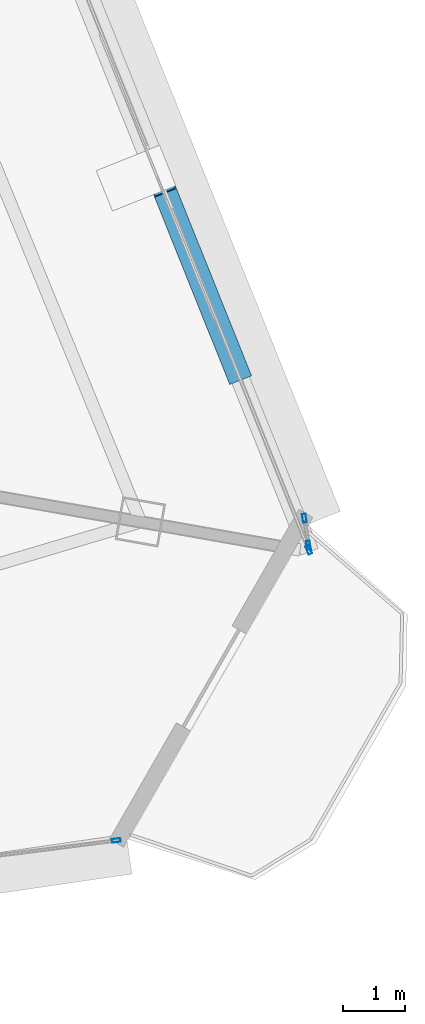
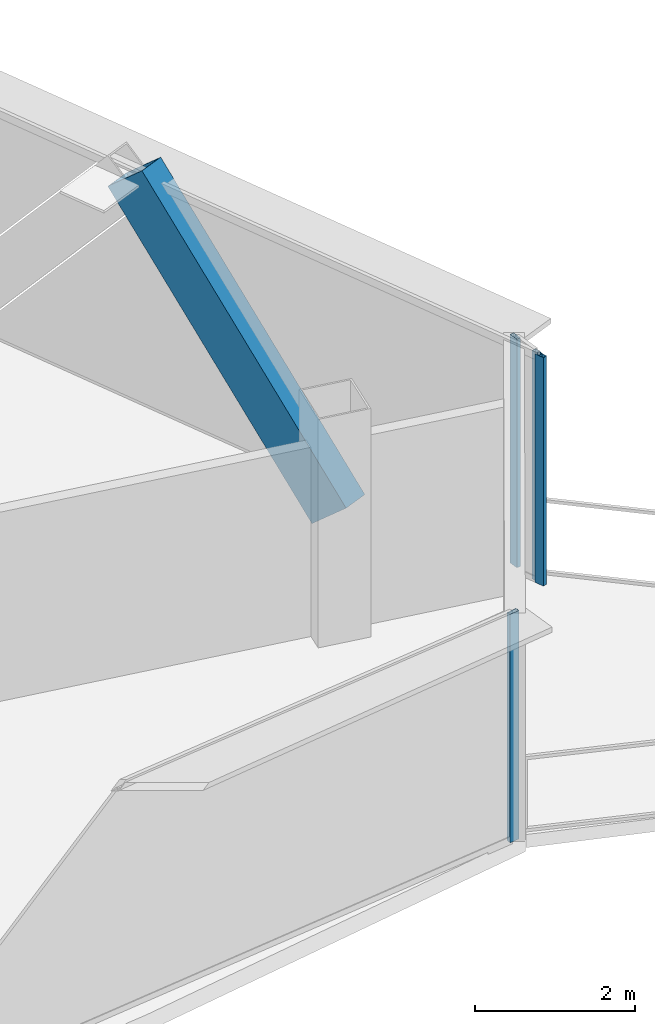
# One storey, part 13 of 30: 5 members, 3 elements without a shape of their own.
"""IFC4 building model written with IfcOpenShell, lengths in metres."""

import ifcopenshell
import ifcopenshell.guid

model = None  # the IFC model being written
_history = None  # IfcOwnerHistory: only IFC2X3 demands one
_inside = {}  # id of a spatial element -> (the spatial element, [elements in it])
_under = {}  # id of a project, library or spatial element -> (it, [spatial elements below it])
_declared = {}  # id of a project -> (the project, [libraries it declares])
_typed = {}  # id of a type object -> (the type object, [elements of that type])
_made_of = {}  # id of a material, layer set ... -> (it, [elements and type objects made of it])


def new_model(schema):
    """Start an empty IFC model of exactly this schema.

    Asked for "IFC4X3", IfcOpenShell would pick the latest addendum, in which some entities
    have other attributes; the version numbers below select the first issue.
    IFC2X3 requires an IfcOwnerHistory on every rooted entity: one is made here for all.
    """
    global model, _history
    if schema == "IFC4X3":
        model = ifcopenshell.file(schema_version=(4, 3, 0, 0))
    else:
        model = ifcopenshell.file(schema=schema)
    _inside.clear()
    _under.clear()
    _declared.clear()
    _typed.clear()
    _made_of.clear()
    _history = None
    if model.schema == "IFC2X3":
        org = make("IfcOrganization", Name="unknown")
        user = make(
            "IfcPersonAndOrganization",
            ThePerson=make("IfcPerson", FamilyName="unknown"),
            TheOrganization=org,
        )
        app = make(
            "IfcApplication",
            ApplicationDeveloper=org,
            Version="unknown",
            ApplicationFullName="unknown",
            ApplicationIdentifier="unknown",
        )
        _history = make(
            "IfcOwnerHistory",
            OwningUser=user,
            OwningApplication=app,
            ChangeAction="ADDED",
            CreationDate=0,
        )
    return model


def make(cls, **values):
    """One entity of the class cls with the attributes given. An attribute that is None is left unset."""
    return model.create_entity(
        cls, **{name: value for name, value in values.items() if value is not None}
    )


def rooted(cls, **values):
    """An entity with a GlobalId (a new one), such as an element, a storey or a relation."""
    return make(cls, GlobalId=ifcopenshell.guid.new(), OwnerHistory=_history, **values)


def si_unit(unit_type, name, prefix=None):
    """IfcSIUnit, for example si_unit("LENGTHUNIT", "METRE", prefix="MILLI")."""
    return make("IfcSIUnit", UnitType=unit_type, Prefix=prefix, Name=name)


def assignment(units):
    """IfcUnitAssignment: the units of a project."""
    return None if units is None else make("IfcUnitAssignment", Units=units)


def point(xyz):
    """IfcCartesianPoint."""
    return None if xyz is None else make("IfcCartesianPoint", Coordinates=xyz)


def direction(xyz):
    """IfcDirection."""
    return None if xyz is None else make("IfcDirection", DirectionRatios=xyz)


def frame(location, z_axis=None, x_axis=None):
    """IfcAxis2Placement3D, a coordinate frame: its origin and axes. An axis left out is left unset."""
    return make(
        "IfcAxis2Placement3D",
        Location=point(location),
        Axis=direction(z_axis),
        RefDirection=direction(x_axis),
    )


def frame_2d(location, x_axis=None):
    """IfcAxis2Placement2D, a coordinate frame in the plane: its origin and x axis."""
    return make(
        "IfcAxis2Placement2D", Location=point(location), RefDirection=direction(x_axis)
    )


def origin():
    """The frame at (0, 0, 0) with its axes left unset."""
    return frame((0.0, 0.0, 0.0))


def origin_2d():
    """The frame at (0, 0) in the plane with its x axis left unset."""
    return frame_2d((0.0, 0.0))


def place(relative_to, where):
    """IfcLocalPlacement: puts the frame where relative to a parent placement (None: the world)."""
    return make(
        "IfcLocalPlacement", PlacementRelTo=relative_to, RelativePlacement=where
    )


def context(
    kind, dimensions, precision=None, world=None, true_north=None, identifier=None
):
    """IfcGeometricRepresentationContext, for example the 3D "Model" context."""
    return make(
        "IfcGeometricRepresentationContext",
        ContextIdentifier=identifier,
        ContextType=kind,
        CoordinateSpaceDimension=dimensions,
        Precision=precision,
        WorldCoordinateSystem=world,
        TrueNorth=true_north,
    )


def subcontext(parent, identifier, kind, view, scale=None):
    """IfcGeometricRepresentationSubContext, for example "Body" below "Model"."""
    return make(
        "IfcGeometricRepresentationSubContext",
        ContextIdentifier=identifier,
        ContextType=kind,
        ParentContext=parent,
        TargetScale=scale,
        TargetView=view,
    )


def project(units=None, contexts=None):
    """IfcProject with its units and contexts."""
    return rooted(
        "IfcProject",
        Name="project",
        RepresentationContexts=contexts,
        UnitsInContext=assignment(units),
    )


def spatial(cls, under=None, at=None, **own):
    """A site, building, storey or space (cls), placed at a placement, below another one or the project."""
    s = rooted(cls, ObjectPlacement=at, **own)
    if under is not None:
        _under.setdefault(under.id(), (under, []))[1].append(s)
    return s


def profile(cls, at=None, kind="AREA", **sizes):
    """A parametric profile (cls). Its sizes go by their IFC names, for example OverallWidth=200.0."""
    return make(cls, ProfileType=kind, Position=at, **sizes)


def hollow_rectangle(**sizes):
    """IfcRectangleHollowProfileDef."""
    return profile("IfcRectangleHollowProfileDef", **sizes)


def extrude(swept, where, along, depth):
    """IfcExtrudedAreaSolid: the profile swept, set in the frame where, extruded along a direction by depth."""
    return make(
        "IfcExtrudedAreaSolid",
        SweptArea=swept,
        Position=where,
        ExtrudedDirection=direction(along),
        Depth=depth,
    )


def shape(context_of_items, identifier, shape_type, items):
    """IfcShapeRepresentation: the items that make up one representation, for example the "Body"."""
    return make(
        "IfcShapeRepresentation",
        ContextOfItems=context_of_items,
        RepresentationIdentifier=identifier,
        RepresentationType=shape_type,
        Items=items,
    )


def source(mapping_origin, context_of_items, identifier, shape_type, items):
    """IfcRepresentationMap: a shape defined once, which mapped items show again and again."""
    return make(
        "IfcRepresentationMap",
        MappingOrigin=mapping_origin,
        MappedRepresentation=shape(context_of_items, identifier, shape_type, items),
    )


def transform(
    local_origin,
    x_axis=None,
    y_axis=None,
    z_axis=None,
    scale=None,
    scale2=None,
    scale3=None,
    uniform=True,
):
    """IfcCartesianTransformationOperator3D, or its non-uniform kind. x_axis, y_axis, z_axis: its Axis1, 2, 3."""
    if uniform:
        return make(
            "IfcCartesianTransformationOperator3D",
            Axis1=direction(x_axis),
            Axis2=direction(y_axis),
            LocalOrigin=point(local_origin),
            Scale=scale,
            Axis3=direction(z_axis),
        )
    return make(
        "IfcCartesianTransformationOperator3DnonUniform",
        Axis1=direction(x_axis),
        Axis2=direction(y_axis),
        LocalOrigin=point(local_origin),
        Scale=scale,
        Axis3=direction(z_axis),
        Scale2=scale2,
        Scale3=scale3,
    )


def mapped(mapping_source, mapping_target):
    """IfcMappedItem: shows the shape of a source again, moved by a transform."""
    return make(
        "IfcMappedItem", MappingSource=mapping_source, MappingTarget=mapping_target
    )


def material(Name=None, Category=None):
    """IfcMaterial."""
    return make("IfcMaterial", Name=Name, Category=Category)


def layer(
    of_material, thickness, ventilated=None, Name=None, Category=None, Priority=None
):
    """IfcMaterialLayer: one layer of a wall or slab, of a material (None: an air gap)."""
    return make(
        "IfcMaterialLayer",
        Material=of_material,
        LayerThickness=thickness,
        IsVentilated=ventilated,
        Name=Name,
        Category=Category,
        Priority=Priority,
    )


def layer_set(layers, Name=None):
    """IfcMaterialLayerSet."""
    return make("IfcMaterialLayerSet", MaterialLayers=layers, LayerSetName=Name)


def material_profile(
    of_material, cross_section, Name=None, Category=None, Priority=None
):
    """IfcMaterialProfile: a cross section and its material."""
    return make(
        "IfcMaterialProfile",
        Name=Name,
        Material=of_material,
        Profile=cross_section,
        Priority=Priority,
        Category=Category,
    )


def profile_set(profiles, Name=None, composite=None):
    """IfcMaterialProfileSet."""
    return make(
        "IfcMaterialProfileSet",
        Name=Name,
        MaterialProfiles=profiles,
        CompositeProfile=composite,
    )


def made_of(thing, what):
    """Note that an element or type object is made of a material, layer set ...; save() writes the relation."""
    if what is not None:
        _made_of.setdefault(what.id(), (what, []))[1].append(thing)
    return thing


def type_object(cls, material=None, **own):
    """A type object (cls), such as IfcWallType, which elements share."""
    return made_of(rooted(cls, **own), material)


def element(
    cls,
    number,
    at=None,
    inside=None,
    cuts=None,
    type_object=None,
    material=None,
    context=None,
    identifier="Body",
    shape_type=None,
    held_by="IfcProductDefinitionShape",
    body=None,
    shapes=None,
    **own,
):
    """One element of the class cls, such as IfcWall. Its Tag is "e" and its number.

    at: its placement. inside: the storey or other place that contains it. cuts: it is an
    opening in that element (IfcRelVoidsElement). A single representation is given by context,
    identifier, shape_type and body (its items); several are given by shapes. held_by: the class
    of the entity that holds the representations. save() writes the other relations.
    """
    e = rooted(cls, Tag="e%d" % number, ObjectPlacement=at, **own)
    if body is not None:
        shapes = [shape(context, identifier, shape_type, body)]
    if shapes is not None:
        e.Representation = make(held_by, Representations=shapes)
    if inside is not None:
        _inside.setdefault(inside.id(), (inside, []))[1].append(e)
    if cuts is not None:
        rooted(
            "IfcRelVoidsElement", RelatingBuildingElement=cuts, RelatedOpeningElement=e
        )
    if type_object is not None:
        _typed.setdefault(type_object.id(), (type_object, []))[1].append(e)
    return made_of(e, material)


def aggregate(whole, parts):
    """IfcRelAggregates: a whole, such as a stair, and the parts it consists of."""
    return rooted("IfcRelAggregates", RelatingObject=whole, RelatedObjects=parts)


def save(model, path):
    """Write the relations noted so far, then the file.

    IfcRelAggregates (storeys below a building ...), IfcRelContainedInSpatialStructure (elements
    in a storey), IfcRelDefinesByType, IfcRelAssociatesMaterial and IfcRelDeclares: one each for
    every whole, place, type object, material and project.
    """
    for whole, parts in _under.values():
        aggregate(whole, parts)
    for where, things in _inside.values():
        rooted(
            "IfcRelContainedInSpatialStructure",
            RelatedElements=things,
            RelatingStructure=where,
        )
    for kind, things in _typed.values():
        rooted("IfcRelDefinesByType", RelatedObjects=things, RelatingType=kind)
    for what, things in _made_of.values():
        rooted("IfcRelAssociatesMaterial", RelatedObjects=things, RelatingMaterial=what)
    for by, libraries in _declared.values():
        rooted("IfcRelDeclares", RelatingContext=by, RelatedDefinitions=libraries)
    model.write(path)


model = new_model("IFC4")

# Units and contexts
model_context = context("Model", 3, precision=1e-05, world=origin(), true_north=direction((0.0, 1.0)))
body_context = subcontext(model_context, "Body", "Model", "MODEL_VIEW")
ifc_project = project(units=[si_unit("LENGTHUNIT", "METRE"), si_unit("AREAUNIT", "SQUARE_METRE"), si_unit("VOLUMEUNIT", "CUBIC_METRE"), si_unit("PLANEANGLEUNIT", "RADIAN"), si_unit("MASSUNIT", "GRAM", prefix="KILO"), si_unit("THERMODYNAMICTEMPERATUREUNIT", "KELVIN"), si_unit("POWERUNIT", "WATT")], contexts=[model_context])

# Site, building, storey
site_placement = place(None, origin())
site = spatial("IfcSite", under=ifc_project, at=site_placement, CompositionType="ELEMENT")
building_placement = place(site_placement, origin())
building = spatial("IfcBuilding", under=site, at=building_placement, Name="Yunzhuo Pagoda Commons", CompositionType="ELEMENT")
storey_placement = place(building_placement, frame((0.0, 0.0, 355.510009765625)))
storey = spatial("IfcBuildingStorey", under=building, at=storey_placement, Name="L89", CompositionType="ELEMENT", Elevation=355.510009765625)

# Member
ifc_material_1 = material(Name="Structural steel Q355B", Category="steel")
ifc_material_profile_1 = material_profile(ifc_material_1, hollow_rectangle(XDim=0.3798828125, YDim=0.719970703125, WallThickness=0.02001953125, at=origin_2d()), Name="Structural steel Q355B")
ifc_profile_set_1 = profile_set([ifc_material_profile_1], Name="Structural steel Q355B")
member_type_1 = type_object("IfcMemberType", Name="M-DL3 Brace BOX 720x380x20", PredefinedType="BRACE", material=ifc_profile_set_1)
shared_shape_1 = source(origin(), body_context, "Body", "SweptSolid", [
    extrude(hollow_rectangle(XDim=0.3798828125, YDim=0.719970703125, WallThickness=0.02001953125, at=origin_2d()), origin(), (0.0, 0.0, 1.0), 4.961181640625),
])
member_1_placement = place(storey_placement, frame((73.983642578125, 31.919677734375, -0.260009765625), z_axis=(-0.243886549809, 0.607600328993, 0.755871147107), x_axis=(-0.928030231192, -0.372504885866, 0.0)))
element("IfcMember", 1, at=member_1_placement, inside=storey, type_object=member_type_1, Name="L89 facade diamond brace F2.1L", PredefinedType="BRACE", context=body_context, shape_type="MappedRepresentation", body=[
    mapped(shared_shape_1, transform((0.0, 0.0, 0.0), scale=1.0)),
])

# Curtain wall, member
ifc_material_2 = material(Name="Anodized aluminium 6063-T6", Category="aluminium")
ifc_layer = layer(ifc_material_2, 0.139892578125)
ifc_layer_set = layer_set([ifc_layer], Name="Anodized aluminium 6063-T6")
curtain_wall_type = type_object("IfcCurtainWallType", Name="CW-HI High-Zone Ribbon Curtain Wall", PredefinedType="NOTDEFINED", material=ifc_layer_set)
curtain_wall_1_placement = place(storey_placement, origin())
curtain_wall_1 = element("IfcCurtainWall", 2, at=curtain_wall_1_placement, inside=storey, type_object=curtain_wall_type, Name="L89 curtain wall CW-L89-F1B5", PredefinedType="NOTDEFINED")
ifc_material_profile_2 = material_profile(ifc_material_2, hollow_rectangle(XDim=0.06005859375, YDim=0.139892578125, WallThickness=0.00341796875, at=origin_2d()), Name="Anodized aluminium 6063-T6")
ifc_profile_set_2 = profile_set([ifc_material_profile_2], Name="Anodized aluminium 6063-T6")
member_type_2 = type_object("IfcMemberType", Name="CW-HI-M Mullion RHS 140x60x3.5", PredefinedType="MULLION", material=ifc_profile_set_2)
shared_shape_2 = source(origin(), body_context, "Body", "SweptSolid", [
    extrude(hollow_rectangle(XDim=0.06005859375, YDim=0.139892578125, WallThickness=0.00341796875, at=origin_2d()), origin(), (0.0, 0.0, 1.0), 3.489990234375),
])
member_2_placement = place(storey_placement, frame((72.08349609375, 24.255615234375, 0.0), z_axis=(0.0, 0.0, 1.0), x_axis=(-0.126570661327, 0.991957593696, 0.0)))
member_2 = element("IfcMember", 3, at=member_2_placement, type_object=member_type_2, Name="CW mullion 2", PredefinedType="MULLION", context=body_context, shape_type="MappedRepresentation", body=[
    mapped(shared_shape_2, transform((0.0, 0.0, 0.0), scale=1.0)),
])
aggregate(curtain_wall_1, [member_2])

curtain_wall_2_placement = place(storey_placement, origin())
curtain_wall_2 = element("IfcCurtainWall", 4, at=curtain_wall_2_placement, inside=storey, type_object=curtain_wall_type, Name="L89 curtain wall CW-L89-F2B2", PredefinedType="NOTDEFINED")
member_3_placement = place(storey_placement, frame((75.182373046875, 28.932861328125, 0.0), z_axis=(0.0, 0.0, 1.0), x_axis=(-0.92803921175, -0.372482511608, 0.0)))
member_3 = element("IfcMember", 5, at=member_3_placement, type_object=member_type_2, Name="CW mullion 1", PredefinedType="MULLION", context=body_context, shape_type="MappedRepresentation", body=[
    mapped(shared_shape_2, transform((0.0, 0.0, 0.0), scale=1.0)),
])
aggregate(curtain_wall_2, [member_3])

# Curtain wall, members
curtain_wall_3_placement = place(storey_placement, origin())
curtain_wall_3 = element("IfcCurtainWall", 6, at=curtain_wall_3_placement, inside=storey, type_object=curtain_wall_type, Name="L89 curtain wall CW-L89-F2B1", PredefinedType="NOTDEFINED")
member_4_placement = place(storey_placement, frame((75.111572265625, 29.44384765625, 0.0), z_axis=(0.0, 0.0, 1.0), x_axis=(0.988629179637, 0.150374017607, 0.0)))
member_4 = element("IfcMember", 7, at=member_4_placement, type_object=member_type_2, Name="CW mullion 1", PredefinedType="MULLION", context=body_context, shape_type="MappedRepresentation", body=[
    mapped(shared_shape_2, transform((0.0, 0.0, 0.0), scale=1.0)),
])
member_5_placement = place(storey_placement, frame((75.177734375, 29.0087890625, 0.0), z_axis=(0.0, 0.0, 1.0), x_axis=(0.988629179637, 0.150374017607, 0.0)))
member_5 = element("IfcMember", 8, at=member_5_placement, type_object=member_type_2, Name="CW mullion 2", PredefinedType="MULLION", context=body_context, shape_type="MappedRepresentation", body=[
    mapped(shared_shape_2, transform((0.0, 0.0, 0.0), scale=1.0)),
])
aggregate(curtain_wall_3, [member_4, member_5])

save(model, "model.ifc")
